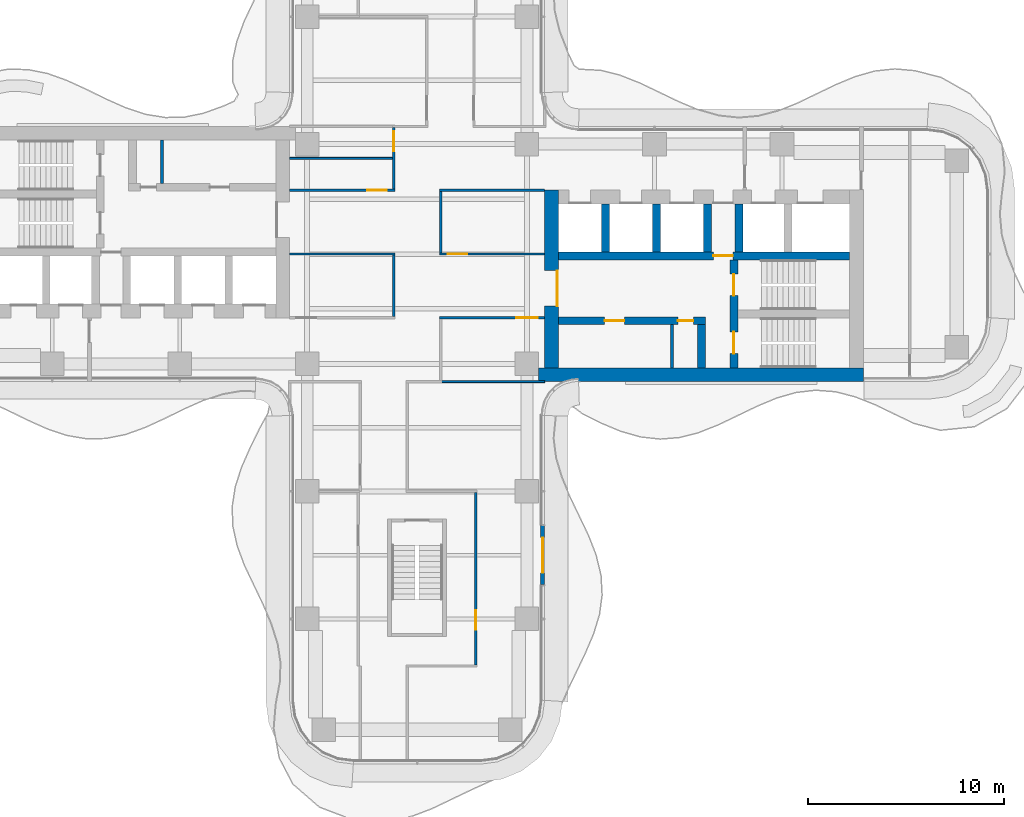
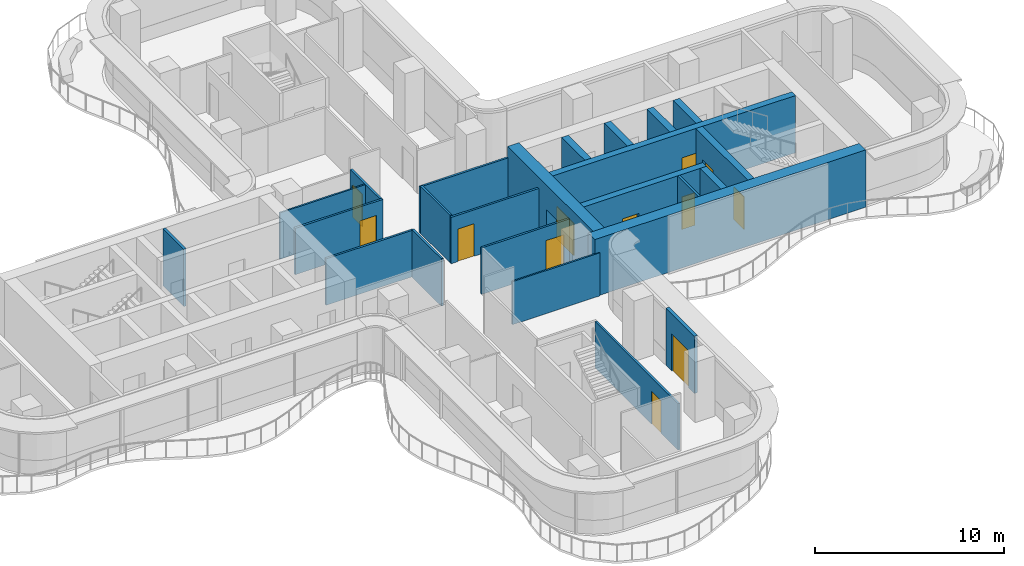
# One storey, part 13 of 17: 24 walls, 12 doors, 12 openings.
"""IFC4 building model written with IfcOpenShell, lengths in metres."""

from ifc_helpers import new_model, si_unit, direction, frame, frame_2d, origin, place, context, subcontext, project, spatial, rectangle, extrude, source, transform, mapped, material, layer, layer_set, type_object, element, fill, save


model = new_model("IFC4")

# Units and contexts
model_context = context("Model", 3, precision=1e-05, world=origin(), true_north=direction((0.0, 1.0)))
body_context = subcontext(model_context, "Body", "Model", "MODEL_VIEW")
ifc_project = project(units=[si_unit("LENGTHUNIT", "METRE"), si_unit("AREAUNIT", "SQUARE_METRE"), si_unit("VOLUMEUNIT", "CUBIC_METRE"), si_unit("PLANEANGLEUNIT", "RADIAN"), si_unit("MASSUNIT", "GRAM", prefix="KILO")], contexts=[model_context])

# Site, building, storey
site_placement = place(None, origin())
site = spatial("IfcSite", under=ifc_project, at=site_placement, CompositionType="ELEMENT")
building_placement = place(site_placement, origin())
building = spatial("IfcBuilding", under=site, at=building_placement, Name="Trellis Farm Tower", CompositionType="ELEMENT")
storey_placement = place(building_placement, frame((0.0, 0.0, 165.89990234375)))
storey = spatial("IfcBuildingStorey", under=building, at=storey_placement, Name="L35", CompositionType="ELEMENT", Elevation=165.89990234375)

# Wall, opening, door
ifc_material_1 = material(Name="Concrete C70/85", Category="concrete")
ifc_layer_1 = layer(ifc_material_1, 0.699951171875)
ifc_layer_set_1 = layer_set([ifc_layer_1], Name="CORE OUTER WALL 700 CONCRETE C70/85")
wall_type_1 = type_object("IfcWallType", Name="CORE OUTER WALL 700 CONCRETE C70/85", PredefinedType="SHEAR", material=ifc_layer_set_1)
shared_shape_1 = source(origin(), body_context, "Body", "SweptSolid", [
    extrude(rectangle(XDim=9.050048828125, YDim=0.699951171875, at=frame_2d((4.52490234375, 0.0))), origin(), (0.0, 0.0, 1.0), 3.7001953125),
])
wall_1_placement = place(storey_placement, frame((6.85009765625, -5.800048828125, 0.0), z_axis=(0.0, 0.0, 1.0), x_axis=(0.0, 1.0, 0.0)))
wall_1 = element("IfcWall", 1, at=wall_1_placement, inside=storey, type_object=wall_type_1, Name="Core wall", PredefinedType="SHEAR", context=body_context, shape_type="MappedRepresentation", body=[
    mapped(shared_shape_1, transform((0.0, 0.0, 0.0))),
])
shared_shape_2 = source(origin(), body_context, "Body", "SweptSolid", [
    extrude(rectangle(XDim=1.800048828125, YDim=2.10009765625, at=frame_2d((0.89990234375, 1.050048828125))), frame((0.0, 0.360107421875, 0.0), z_axis=(0.0, -1.0, 0.0), x_axis=(1.0, 0.0, 0.0)), (0.0, 0.0, 1.0), 0.72021484375),
])
opening_1_placement = place(wall_1_placement, frame((3.14990234375, 0.0, 0.0)))
opening_1 = element("IfcOpeningElement", 2, at=opening_1_placement, cuts=wall_1, Name="Opening DC1", PredefinedType="OPENING", context=body_context, shape_type="MappedRepresentation", body=[
    mapped(shared_shape_2, transform((0.0, 0.0, 0.0))),
])
ifc_material_2 = material(Name="Steel", Category="steel")
door_type_1 = type_object("IfcDoorType", Name="CORE FIRE DOOR DOUBLE 1800 X 2100", OperationType="DOUBLE_DOOR_SINGLE_SWING", PredefinedType="DOOR", material=ifc_material_2)
shared_shape_3 = source(origin(), body_context, "Body", "SweptSolid", [
    extrude(rectangle(XDim=1.800048828125, YDim=2.10009765625, at=frame_2d((0.89990234375, 1.050048828125))), frame((0.0, -0.27490234375, 0.0), z_axis=(0.0, -1.0, 0.0), x_axis=(1.0, 0.0, 0.0)), (0.0, 0.0, 1.0), 0.050048828125),
])
door_1_placement = place(opening_1_placement, origin())
door_1 = element("IfcDoor", 3, at=door_1_placement, inside=storey, type_object=door_type_1, Name="Core door", OperationType="DOUBLE_DOOR_SINGLE_SWING", OverallHeight=2.10009765625, OverallWidth=1.800048828125, PredefinedType="DOOR", context=body_context, shape_type="MappedRepresentation", body=[
    mapped(shared_shape_3, transform((0.0, 0.0, 0.0))),
])
fill(opening_1, door_1)

# Walls
ifc_layer_2 = layer(ifc_material_1, 0.39990234375)
ifc_layer_set_2 = layer_set([ifc_layer_2], Name="CORE INNER WALL 400 CONCRETE C70/85")
wall_type_2 = type_object("IfcWallType", Name="CORE INNER WALL 400 CONCRETE C70/85", PredefinedType="SHEAR", material=ifc_layer_set_2)
shared_shape_4 = source(origin(), body_context, "Body", "SweptSolid", [
    extrude(rectangle(XDim=2.449951171875, YDim=0.39990234375, at=frame_2d((1.22509765625, 0.0))), origin(), (0.0, 0.0, 1.0), 3.7001953125),
])
for number, where, z_axis, x_axis, name in (
    (4, (9.60009765625, 0.10009765625, 0.0), (0.0, 0.0, 1.0), (0.0, 1.0, 0.0), "Core wall"),
    (5, (12.199951171875, 0.10009765625, 0.0), (0.0, 0.0, 1.0), (0.0, 1.0, 0.0), "Core wall"),
    (6, (14.800048828125, 0.10009765625, 0.0), (0.0, 0.0, 1.0), (0.0, 1.0, 0.0), "Core wall"),
    (7, (16.39990234375, 0.10009765625, 0.0), (0.0, 0.0, 1.0), (0.0, 1.0, 0.0), "Core wall"),
):
    element("IfcWall", number, at=place(storey_placement, frame(where, z_axis=z_axis, x_axis=x_axis)), inside=storey, type_object=wall_type_2, Name=name, PredefinedType="SHEAR", context=body_context, shape_type="MappedRepresentation", body=[
        mapped(shared_shape_4, transform((0.0, 0.0, 0.0))),
    ])
shared_shape_5 = source(origin(), body_context, "Body", "SweptSolid", [
    extrude(rectangle(XDim=16.550048828125, YDim=0.699951171875, at=frame_2d((8.27490234375, 0.0))), origin(), (0.0, 0.0, 1.0), 3.7001953125),
])
wall_2_placement = place(storey_placement, frame((6.199951171875, -6.14990234375, 0.0), z_axis=(0.0, 0.0, 1.0), x_axis=(1.0, 0.0, 0.0)))
element("IfcWall", 8, at=wall_2_placement, inside=storey, type_object=wall_type_1, Name="Core wall", PredefinedType="SHEAR", context=body_context, shape_type="MappedRepresentation", body=[
    mapped(shared_shape_5, transform((0.0, 0.0, 0.0))),
])

# Wall, openings, doors
shared_shape_6 = source(origin(), body_context, "Body", "SweptSolid", [
    extrude(rectangle(XDim=7.5, YDim=0.39990234375, at=frame_2d((3.75, 0.0))), origin(), (0.0, 0.0, 1.0), 3.7001953125),
])
wall_3_placement = place(storey_placement, frame((7.199951171875, -3.39990234375, 0.0), z_axis=(0.0, 0.0, 1.0), x_axis=(1.0, 0.0, 0.0)))
wall_3 = element("IfcWall", 9, at=wall_3_placement, inside=storey, type_object=wall_type_2, Name="Core wall", PredefinedType="SHEAR", context=body_context, shape_type="MappedRepresentation", body=[
    mapped(shared_shape_6, transform((0.0, 0.0, 0.0))),
])
shared_shape_7 = source(origin(), body_context, "Body", "SweptSolid", [
    extrude(rectangle(XDim=1.0, YDim=2.10009765625, at=frame_2d((0.5, 1.050048828125))), frame((0.0, 0.2099609375, 0.0), z_axis=(0.0, -1.0, 0.0), x_axis=(1.0, 0.0, 0.0)), (0.0, 0.0, 1.0), 0.419921875),
])
opening_2_placement = place(wall_3_placement, frame((2.362548828125, 0.0, 0.0)))
opening_2 = element("IfcOpeningElement", 10, at=opening_2_placement, cuts=wall_3, Name="Opening DC55", PredefinedType="OPENING", context=body_context, shape_type="MappedRepresentation", body=[
    mapped(shared_shape_7, transform((0.0, 0.0, 0.0))),
])
shared_shape_8 = source(origin(), body_context, "Body", "SweptSolid", [
    extrude(rectangle(XDim=0.800048828125, YDim=2.10009765625, at=frame_2d((0.39990234375, 1.050048828125))), frame((0.0, 0.2099609375, 0.0), z_axis=(0.0, -1.0, 0.0), x_axis=(1.0, 0.0, 0.0)), (0.0, 0.0, 1.0), 0.419921875),
])
opening_3_placement = place(wall_3_placement, frame((6.08740234375, 0.0, 0.0)))
opening_3 = element("IfcOpeningElement", 11, at=opening_3_placement, cuts=wall_3, Name="Opening DC58", PredefinedType="OPENING", context=body_context, shape_type="MappedRepresentation", body=[
    mapped(shared_shape_8, transform((0.0, 0.0, 0.0))),
])
door_type_2 = type_object("IfcDoorType", Name="CORE FIRE DOOR 1000 X 2100", OperationType="NOTDEFINED", PredefinedType="DOOR", material=ifc_material_2)
shared_shape_9 = source(origin(), body_context, "Body", "SweptSolid", [
    extrude(rectangle(XDim=1.0, YDim=2.10009765625, at=frame_2d((0.5, 1.050048828125))), frame((0.0, 0.02490234375, 0.0), z_axis=(0.0, -1.0, 0.0), x_axis=(1.0, 0.0, 0.0)), (0.0, 0.0, 1.0), 0.050048828125),
])
door_2_placement = place(opening_2_placement, origin())
door_2 = element("IfcDoor", 12, at=door_2_placement, inside=storey, type_object=door_type_2, Name="Core door", OperationType="SINGLE_SWING_LEFT", OverallHeight=2.10009765625, OverallWidth=1.0, PredefinedType="DOOR", context=body_context, shape_type="MappedRepresentation", body=[
    mapped(shared_shape_9, transform((0.0, 0.0, 0.0))),
])
fill(opening_2, door_2)
door_type_3 = type_object("IfcDoorType", Name="CORE FIRE DOOR 800 X 2100", OperationType="NOTDEFINED", PredefinedType="DOOR", material=ifc_material_2)
shared_shape_10 = source(origin(), body_context, "Body", "SweptSolid", [
    extrude(rectangle(XDim=0.800048828125, YDim=2.10009765625, at=frame_2d((0.39990234375, 1.050048828125))), frame((0.0, 0.02490234375, 0.0), z_axis=(0.0, -1.0, 0.0), x_axis=(1.0, 0.0, 0.0)), (0.0, 0.0, 1.0), 0.050048828125),
])
door_3_placement = place(opening_3_placement, origin())
door_3 = element("IfcDoor", 13, at=door_3_placement, inside=storey, type_object=door_type_3, Name="Core door", OperationType="SINGLE_SWING_RIGHT", OverallHeight=2.10009765625, OverallWidth=0.800048828125, PredefinedType="DOOR", context=body_context, shape_type="MappedRepresentation", body=[
    mapped(shared_shape_10, transform((0.0, 0.0, 0.0))),
])
fill(opening_3, door_3)

# Wall, opening, door
shared_shape_11 = source(origin(), body_context, "Body", "SweptSolid", [
    extrude(rectangle(XDim=14.85009765625, YDim=0.39990234375, at=frame_2d((7.425048828125, 0.0))), origin(), (0.0, 0.0, 1.0), 3.7001953125),
])
wall_4_placement = place(storey_placement, frame((7.199951171875, -0.10009765625, 0.0), z_axis=(0.0, 0.0, 1.0), x_axis=(1.0, 0.0, 0.0)))
wall_4 = element("IfcWall", 14, at=wall_4_placement, inside=storey, type_object=wall_type_2, Name="Core wall", PredefinedType="SHEAR", context=body_context, shape_type="MappedRepresentation", body=[
    mapped(shared_shape_11, transform((0.0, 0.0, 0.0))),
])
opening_4_placement = place(wall_4_placement, frame((7.89990234375, 0.0, 0.0)))
opening_4 = element("IfcOpeningElement", 15, at=opening_4_placement, cuts=wall_4, Name="Opening DC5", PredefinedType="OPENING", context=body_context, shape_type="MappedRepresentation", body=[
    mapped(shared_shape_7, transform((0.0, 0.0, 0.0))),
])
door_4_placement = place(opening_4_placement, origin())
door_4 = element("IfcDoor", 16, at=door_4_placement, inside=storey, type_object=door_type_2, Name="Core door", OperationType="SINGLE_SWING_RIGHT", OverallHeight=2.10009765625, OverallWidth=1.0, PredefinedType="DOOR", context=body_context, shape_type="MappedRepresentation", body=[
    mapped(shared_shape_9, transform((0.0, 0.0, 0.0))),
])
fill(opening_4, door_4)

# Wall, openings, doors
shared_shape_12 = source(origin(), body_context, "Body", "SweptSolid", [
    extrude(rectangle(XDim=5.5, YDim=0.39990234375, at=frame_2d((2.75, 0.0))), origin(), (0.0, 0.0, 1.0), 3.7001953125),
])
wall_5_placement = place(storey_placement, frame((16.14990234375, -5.800048828125, 0.0), z_axis=(0.0, 0.0, 1.0), x_axis=(0.0, 1.0, 0.0)))
wall_5 = element("IfcWall", 17, at=wall_5_placement, inside=storey, type_object=wall_type_2, Name="Core wall", PredefinedType="SHEAR", context=body_context, shape_type="MappedRepresentation", body=[
    mapped(shared_shape_12, transform((0.0, 0.0, 0.0))),
])
shared_shape_13 = source(origin(), body_context, "Body", "SweptSolid", [
    extrude(rectangle(XDim=1.10009765625, YDim=2.10009765625, at=frame_2d((0.550048828125, 1.050048828125))), frame((0.0, 0.2099609375, 0.0), z_axis=(0.0, -1.0, 0.0), x_axis=(1.0, 0.0, 0.0)), (0.0, 0.0, 1.0), 0.419921875),
])
opening_5_placement = place(wall_5_placement, frame((0.72509765625, 0.0, 0.0)))
opening_5 = element("IfcOpeningElement", 18, at=opening_5_placement, cuts=wall_5, Name="Opening DC2", PredefinedType="OPENING", context=body_context, shape_type="MappedRepresentation", body=[
    mapped(shared_shape_13, transform((0.0, 0.0, 0.0))),
])
opening_6_placement = place(wall_5_placement, frame((3.675048828125, 0.0, 0.0)))
opening_6 = element("IfcOpeningElement", 19, at=opening_6_placement, cuts=wall_5, Name="Opening DC3", PredefinedType="OPENING", context=body_context, shape_type="MappedRepresentation", body=[
    mapped(shared_shape_13, transform((0.0, 0.0, 0.0))),
])
door_type_4 = type_object("IfcDoorType", Name="CORE FIRE DOOR 1100 X 2100", OperationType="NOTDEFINED", PredefinedType="DOOR", material=ifc_material_2)
shared_shape_14 = source(origin(), body_context, "Body", "SweptSolid", [
    extrude(rectangle(XDim=1.10009765625, YDim=2.10009765625, at=frame_2d((0.550048828125, 1.050048828125))), frame((0.0, 0.02490234375, 0.0), z_axis=(0.0, -1.0, 0.0), x_axis=(1.0, 0.0, 0.0)), (0.0, 0.0, 1.0), 0.050048828125),
])
door_5_placement = place(opening_5_placement, origin())
door_5 = element("IfcDoor", 20, at=door_5_placement, inside=storey, type_object=door_type_4, Name="Core door", OperationType="SINGLE_SWING_RIGHT", OverallHeight=2.10009765625, OverallWidth=1.10009765625, PredefinedType="DOOR", context=body_context, shape_type="MappedRepresentation", body=[
    mapped(shared_shape_14, transform((0.0, 0.0, 0.0))),
])
fill(opening_5, door_5)
door_6_placement = place(opening_6_placement, origin())
door_6 = element("IfcDoor", 21, at=door_6_placement, inside=storey, type_object=door_type_4, Name="Core door", OperationType="SINGLE_SWING_LEFT", OverallHeight=2.10009765625, OverallWidth=1.10009765625, PredefinedType="DOOR", context=body_context, shape_type="MappedRepresentation", body=[
    mapped(shared_shape_14, transform((0.0, 0.0, 0.0))),
])
fill(opening_6, door_6)

# Walls
shared_shape_15 = source(origin(), body_context, "Body", "SweptSolid", [
    extrude(rectangle(XDim=2.199951171875, YDim=0.39990234375, at=frame_2d((1.10009765625, 0.0))), origin(), (0.0, 0.0, 1.0), 3.7001953125),
])
wall_6_placement = place(storey_placement, frame((14.5, -5.800048828125, 0.0), z_axis=(0.0, 0.0, 1.0), x_axis=(0.0, 1.0, 0.0)))
element("IfcWall", 22, at=wall_6_placement, inside=storey, type_object=wall_type_2, Name="Core wall", PredefinedType="SHEAR", context=body_context, shape_type="MappedRepresentation", body=[
    mapped(shared_shape_15, transform((0.0, 0.0, 0.0))),
])
ifc_material_3 = material(Name="Masonry blockwork", Category="masonry")
ifc_layer_3 = layer(ifc_material_3, 0.14990234375)
ifc_layer_set_3 = layer_set([ifc_layer_3], Name="CORE PARTITION 150 BLOCKWORK")
wall_type_3 = type_object("IfcWallType", Name="CORE PARTITION 150 BLOCKWORK", PredefinedType="PARTITIONING", material=ifc_layer_set_3)
shared_shape_16 = source(origin(), body_context, "Body", "SweptSolid", [
    extrude(rectangle(XDim=2.199951171875, YDim=0.14990234375, at=frame_2d((1.10009765625, 0.0))), origin(), (0.0, 0.0, 1.0), 3.7001953125),
])
for number, where, z_axis, x_axis, name in (
    (23, (13.0, -5.800048828125, 0.0), (0.0, 0.0, 1.0), (0.0, 1.0, 0.0), "Core room partition"),
    (24, (-13.0, 5.800048828125, 0.0), (0.0, 0.0, 1.0), (0.0, -1.0, 0.0), "Core room partition"),
):
    element("IfcWall", number, at=place(storey_placement, frame(where, z_axis=z_axis, x_axis=x_axis)), inside=storey, type_object=wall_type_3, Name=name, PredefinedType="PARTITIONING", context=body_context, shape_type="MappedRepresentation", body=[
        mapped(shared_shape_16, transform((0.0, 0.0, 0.0))),
    ])

# Wall, opening, door
ifc_material_4 = material(Name="Sandstone faced insulated wall", Category="masonry")
ifc_layer_4 = layer(ifc_material_4, 0.199951171875)
ifc_layer_set_4 = layer_set([ifc_layer_4], Name="EXTERNAL INFILL WALL 200")
wall_type_4 = type_object("IfcWallType", Name="EXTERNAL INFILL WALL 200", PredefinedType="SOLIDWALL", material=ifc_layer_set_4)
shared_shape_17 = source(origin(), body_context, "Body", "SweptSolid", [
    extrude(rectangle(XDim=3.0, YDim=0.199951171875, at=frame_2d((1.5, 0.0))), origin(), (0.0, 0.0, 1.0), 3.7001953125),
])
wall_7_placement = place(storey_placement, frame((6.39990234375, -16.85009765625, 0.0), z_axis=(0.0, 0.0, 1.0), x_axis=(0.0, 1.0, 0.0)))
wall_7 = element("IfcWall", 25, at=wall_7_placement, inside=storey, type_object=wall_type_4, Name="EW1 01", PredefinedType="SOLIDWALL", context=body_context, shape_type="MappedRepresentation", body=[
    mapped(shared_shape_17, transform((0.0, 0.0, 0.0))),
])
shared_shape_18 = source(origin(), body_context, "Body", "SweptSolid", [
    extrude(rectangle(XDim=1.800048828125, YDim=2.39990234375, at=frame_2d((0.89990234375, 1.199951171875))), frame((0.0, 0.110107421875, 0.0), z_axis=(0.0, -1.0, 0.0), x_axis=(1.0, 0.0, 0.0)), (0.0, 0.0, 1.0), 0.22021484375),
])
opening_7_placement = place(wall_7_placement, frame((0.60009765625, 0.0, 0.0)))
opening_7 = element("IfcOpeningElement", 26, at=opening_7_placement, cuts=wall_7, Name="Opening ED1", PredefinedType="OPENING", context=body_context, shape_type="MappedRepresentation", body=[
    mapped(shared_shape_18, transform((0.0, 0.0, 0.0))),
])
ifc_material_5 = material(Name="Aluminium framed glazed door", Category="aluminium")
door_type_5 = type_object("IfcDoorType", Name="BALCONY DOOR 1800x2400", OperationType="DOUBLE_DOOR_SINGLE_SWING", PredefinedType="DOOR", material=ifc_material_5)
shared_shape_19 = source(origin(), body_context, "Body", "SweptSolid", [
    extrude(rectangle(XDim=1.800048828125, YDim=2.39990234375, at=frame_2d((0.89990234375, 1.199951171875))), frame((0.0, 0.02490234375, 0.0), z_axis=(0.0, -1.0, 0.0), x_axis=(1.0, 0.0, 0.0)), (0.0, 0.0, 1.0), 0.050048828125),
])
door_7_placement = place(opening_7_placement, origin())
door_7 = element("IfcDoor", 27, at=door_7_placement, inside=storey, type_object=door_type_5, Name="Balcony door", OperationType="DOUBLE_DOOR_SINGLE_SWING", OverallHeight=2.39990234375, OverallWidth=1.800048828125, PredefinedType="DOOR", context=body_context, shape_type="MappedRepresentation", body=[
    mapped(shared_shape_19, transform((0.0, 0.0, 0.0))),
])
fill(opening_7, door_7)

ifc_material_6 = material(Name="Plasterboard on steel studs, mineral wool", Category="steel")
ifc_layer_5 = layer(ifc_material_6, 0.125)
ifc_layer_set_5 = layer_set([ifc_layer_5], Name="PARTITION 125 STUD EI 60")
wall_type_5 = type_object("IfcWallType", Name="PARTITION 125 STUD EI 60", PredefinedType="PARTITIONING", material=ifc_layer_set_5)
shared_shape_20 = source(origin(), body_context, "Body", "SweptSolid", [
    extrude(rectangle(XDim=3.137451171875, YDim=0.125, at=frame_2d((1.56884765625, 0.0))), origin(), (0.0, 0.0, 1.0), 2.99658203125),
])
wall_8_placement = place(storey_placement, frame((-1.199951171875, 6.449951171875, 0.0), z_axis=(0.0, 0.0, 1.0), x_axis=(0.0, -1.0, 0.0)))
wall_8 = element("IfcWall", 28, at=wall_8_placement, inside=storey, type_object=wall_type_5, Name="Partition PW1", PredefinedType="PARTITIONING", context=body_context, shape_type="MappedRepresentation", body=[
    mapped(shared_shape_20, transform((0.0, 0.0, 0.0))),
])
shared_shape_21 = source(origin(), body_context, "Body", "SweptSolid", [
    extrude(rectangle(XDim=1.0, YDim=2.10009765625, at=frame_2d((0.5, 1.050048828125))), frame((0.0, 0.072509765625, 0.0), z_axis=(0.0, -1.0, 0.0), x_axis=(1.0, 0.0, 0.0)), (0.0, 0.0, 1.0), 0.14501953125),
])
opening_8_placement = place(wall_8_placement, frame((0.199951171875, 0.0, 0.0)))
opening_8 = element("IfcOpeningElement", 29, at=opening_8_placement, cuts=wall_8, Name="Opening D108", PredefinedType="OPENING", context=body_context, shape_type="MappedRepresentation", body=[
    mapped(shared_shape_21, transform((0.0, 0.0, 0.0))),
])
ifc_material_7 = material(Name="Fire-rated timber door leaf in a hollow metal frame", Category="wood")
door_type_6 = type_object("IfcDoorType", Name="DOOR 1000x2100 FD30S", OperationType="NOTDEFINED", PredefinedType="DOOR", material=ifc_material_7)
door_8_placement = place(opening_8_placement, origin())
door_8 = element("IfcDoor", 30, at=door_8_placement, inside=storey, type_object=door_type_6, Name="Door D108", OperationType="SINGLE_SWING_LEFT", OverallHeight=2.10009765625, OverallWidth=1.0, PredefinedType="DOOR", context=body_context, shape_type="MappedRepresentation", body=[
    mapped(shared_shape_9, transform((0.0, 0.0, 0.0))),
])
fill(opening_8, door_8)

# Walls
shared_shape_22 = source(origin(), body_context, "Body", "SweptSolid", [
    extrude(rectangle(XDim=3.125, YDim=0.125, at=frame_2d((1.5625, 0.0))), origin(), (0.0, 0.0, 1.0), 3.06787109375),
])
for number, where, z_axis, x_axis, name in (
    (31, (-1.199951171875, -0.0625, 0.0), (0.0, 0.0, 1.0), (0.0, -1.0, 0.0), "Partition PW1"),
    (32, (1.199951171875, 3.1875, 0.0), (0.0, 0.0, 1.0), (0.0, -1.0, 0.0), "Partition PW1"),
):
    element("IfcWall", number, at=place(storey_placement, frame(where, z_axis=z_axis, x_axis=x_axis)), inside=storey, type_object=wall_type_5, Name=name, PredefinedType="PARTITIONING", context=body_context, shape_type="MappedRepresentation", body=[
        mapped(shared_shape_22, transform((0.0, 0.0, 0.0))),
    ])

# Wall, opening, door
shared_shape_23 = source(origin(), body_context, "Body", "SweptSolid", [
    extrude(rectangle(XDim=5.362548828125, YDim=0.125, at=frame_2d((2.68115234375, 0.0))), origin(), (0.0, 0.0, 1.0), 2.99658203125),
])
wall_9_placement = place(storey_placement, frame((6.5, -3.25, 0.0), z_axis=(0.0, 0.0, 1.0), x_axis=(-1.0, 0.0, 0.0)))
wall_9 = element("IfcWall", 33, at=wall_9_placement, inside=storey, type_object=wall_type_5, Name="Partition PW1", PredefinedType="PARTITIONING", context=body_context, shape_type="MappedRepresentation", body=[
    mapped(shared_shape_23, transform((0.0, 0.0, 0.0))),
])
shared_shape_24 = source(origin(), body_context, "Body", "SweptSolid", [
    extrude(rectangle(XDim=1.10009765625, YDim=2.10009765625, at=frame_2d((0.550048828125, 1.050048828125))), frame((0.0, 0.072509765625, 0.0), z_axis=(0.0, -1.0, 0.0), x_axis=(1.0, 0.0, 0.0)), (0.0, 0.0, 1.0), 0.14501953125),
])
opening_9_placement = place(wall_9_placement, frame((0.35009765625, 0.0, 0.0)))
opening_9 = element("IfcOpeningElement", 34, at=opening_9_placement, cuts=wall_9, Name="Opening D501", PredefinedType="OPENING", context=body_context, shape_type="MappedRepresentation", body=[
    mapped(shared_shape_24, transform((0.0, 0.0, 0.0))),
])
door_type_7 = type_object("IfcDoorType", Name="DOOR 1100x2100 FD30S", OperationType="NOTDEFINED", PredefinedType="DOOR", material=ifc_material_7)
door_9_placement = place(opening_9_placement, origin())
door_9 = element("IfcDoor", 35, at=door_9_placement, inside=storey, type_object=door_type_7, Name="Door D501", OperationType="SINGLE_SWING_LEFT", OverallHeight=2.10009765625, OverallWidth=1.10009765625, PredefinedType="DOOR", context=body_context, shape_type="MappedRepresentation", body=[
    mapped(shared_shape_14, transform((0.0, 0.0, 0.0))),
])
fill(opening_9, door_9)

# Wall
wall_10_placement = place(storey_placement, frame((-1.137451171875, 0.0, 0.0), z_axis=(0.0, 0.0, 1.0), x_axis=(-1.0, 0.0, 0.0)))
element("IfcWall", 36, at=wall_10_placement, inside=storey, type_object=wall_type_5, Name="Partition PW1", PredefinedType="PARTITIONING", context=body_context, shape_type="MappedRepresentation", body=[
    mapped(shared_shape_23, transform((0.0, 0.0, 0.0))),
])

# Wall, opening, door
wall_11_placement = place(storey_placement, frame((6.5, 0.0, 0.0), z_axis=(0.0, 0.0, 1.0), x_axis=(-1.0, 0.0, 0.0)))
wall_11 = element("IfcWall", 37, at=wall_11_placement, inside=storey, type_object=wall_type_5, Name="Partition PW1", PredefinedType="PARTITIONING", context=body_context, shape_type="MappedRepresentation", body=[
    mapped(shared_shape_23, transform((0.0, 0.0, 0.0))),
])
opening_10_placement = place(wall_11_placement, frame((3.949951171875, 0.0, 0.0)))
opening_10 = element("IfcOpeningElement", 38, at=opening_10_placement, cuts=wall_11, Name="Opening D106", PredefinedType="OPENING", context=body_context, shape_type="MappedRepresentation", body=[
    mapped(shared_shape_21, transform((0.0, 0.0, 0.0))),
])
door_10_placement = place(opening_10_placement, origin())
door_10 = element("IfcDoor", 39, at=door_10_placement, inside=storey, type_object=door_type_6, Name="Door D106", OperationType="SINGLE_SWING_RIGHT", OverallHeight=2.10009765625, OverallWidth=1.0, PredefinedType="DOOR", context=body_context, shape_type="MappedRepresentation", body=[
    mapped(shared_shape_9, transform((0.0, 0.0, 0.0))),
])
fill(opening_10, door_10)

wall_12_placement = place(storey_placement, frame((-6.5, 3.25, 0.0), z_axis=(0.0, 0.0, 1.0), x_axis=(1.0, 0.0, 0.0)))
wall_12 = element("IfcWall", 40, at=wall_12_placement, inside=storey, type_object=wall_type_5, Name="Partition PW1", PredefinedType="PARTITIONING", context=body_context, shape_type="MappedRepresentation", body=[
    mapped(shared_shape_23, transform((0.0, 0.0, 0.0))),
])
opening_11_placement = place(wall_12_placement, frame((3.949951171875, 0.0, 0.0)))
opening_11 = element("IfcOpeningElement", 41, at=opening_11_placement, cuts=wall_12, Name="Opening D107", PredefinedType="OPENING", context=body_context, shape_type="MappedRepresentation", body=[
    mapped(shared_shape_21, transform((0.0, 0.0, 0.0))),
])
door_11_placement = place(opening_11_placement, origin())
door_11 = element("IfcDoor", 42, at=door_11_placement, inside=storey, type_object=door_type_6, Name="Door D107", OperationType="SINGLE_SWING_RIGHT", OverallHeight=2.10009765625, OverallWidth=1.0, PredefinedType="DOOR", context=body_context, shape_type="MappedRepresentation", body=[
    mapped(shared_shape_9, transform((0.0, 0.0, 0.0))),
])
fill(opening_11, door_11)

# Walls
wall_13_placement = place(storey_placement, frame((1.137451171875, 3.25, 0.0), z_axis=(0.0, 0.0, 1.0), x_axis=(1.0, 0.0, 0.0)))
element("IfcWall", 43, at=wall_13_placement, inside=storey, type_object=wall_type_5, Name="Partition PW1", PredefinedType="PARTITIONING", context=body_context, shape_type="MappedRepresentation", body=[
    mapped(shared_shape_23, transform((0.0, 0.0, 0.0))),
])
ifc_material_8 = material(Name="Plasterboard on steel studs", Category="steel")
ifc_layer_6 = layer(ifc_material_8, 0.10009765625)
ifc_layer_set_6 = layer_set([ifc_layer_6], Name="PARTITION 100 STUD EI 30")
wall_type_6 = type_object("IfcWallType", Name="PARTITION 100 STUD EI 30", PredefinedType="PARTITIONING", material=ifc_layer_set_6)
shared_shape_25 = source(origin(), body_context, "Body", "SweptSolid", [
    extrude(rectangle(XDim=5.362548828125, YDim=0.10009765625, at=frame_2d((2.68115234375, 0.0))), origin(), (0.0, 0.0, 1.0), 2.780029296875),
])
wall_14_placement = place(storey_placement, frame((1.137451171875, -6.5, 0.0), z_axis=(0.0, 0.0, 1.0), x_axis=(1.0, 0.0, 0.0)))
element("IfcWall", 44, at=wall_14_placement, inside=storey, type_object=wall_type_6, Name="Partition PW2", PredefinedType="PARTITIONING", context=body_context, shape_type="MappedRepresentation", body=[
    mapped(shared_shape_25, transform((0.0, 0.0, 0.0))),
])

# Wall, opening, door
shared_shape_26 = source(origin(), body_context, "Body", "SweptSolid", [
    extrude(rectangle(XDim=8.77490234375, YDim=0.125, at=frame_2d((4.387451171875, 0.0))), origin(), (0.0, 0.0, 1.0), 2.99658203125),
])
wall_15_placement = place(storey_placement, frame((3.0, -12.16259765625, 0.0), z_axis=(0.0, 0.0, 1.0), x_axis=(0.0, -1.0, 0.0)))
wall_15 = element("IfcWall", 45, at=wall_15_placement, inside=storey, type_object=wall_type_5, Name="Partition PW1", PredefinedType="PARTITIONING", context=body_context, shape_type="MappedRepresentation", body=[
    mapped(shared_shape_26, transform((0.0, 0.0, 0.0))),
])
opening_12_placement = place(wall_15_placement, frame((5.987548828125, 0.0, 0.0)))
opening_12 = element("IfcOpeningElement", 46, at=opening_12_placement, cuts=wall_15, Name="Opening D101", PredefinedType="OPENING", context=body_context, shape_type="MappedRepresentation", body=[
    mapped(shared_shape_21, transform((0.0, 0.0, 0.0))),
])
door_12_placement = place(opening_12_placement, origin())
door_12 = element("IfcDoor", 47, at=door_12_placement, inside=storey, type_object=door_type_6, Name="Door D101", OperationType="SINGLE_SWING_RIGHT", OverallHeight=2.10009765625, OverallWidth=1.0, PredefinedType="DOOR", context=body_context, shape_type="MappedRepresentation", body=[
    mapped(shared_shape_9, transform((0.0, 0.0, 0.0))),
])
fill(opening_12, door_12)

# Wall
shared_shape_27 = source(origin(), body_context, "Body", "SweptSolid", [
    extrude(rectangle(XDim=5.237548828125, YDim=0.10009765625, at=frame_2d((2.61865234375, 0.0))), origin(), (0.0, 0.0, 1.0), 2.99658203125),
])
wall_16_placement = place(storey_placement, frame((-6.5, 4.875, 0.0), z_axis=(0.0, 0.0, 1.0), x_axis=(1.0, 0.0, 0.0)))
element("IfcWall", 48, at=wall_16_placement, inside=storey, type_object=wall_type_6, Name="Partition PW2", PredefinedType="PARTITIONING", context=body_context, shape_type="MappedRepresentation", body=[
    mapped(shared_shape_27, transform((0.0, 0.0, 0.0))),
])

save(model, "model.ifc")
